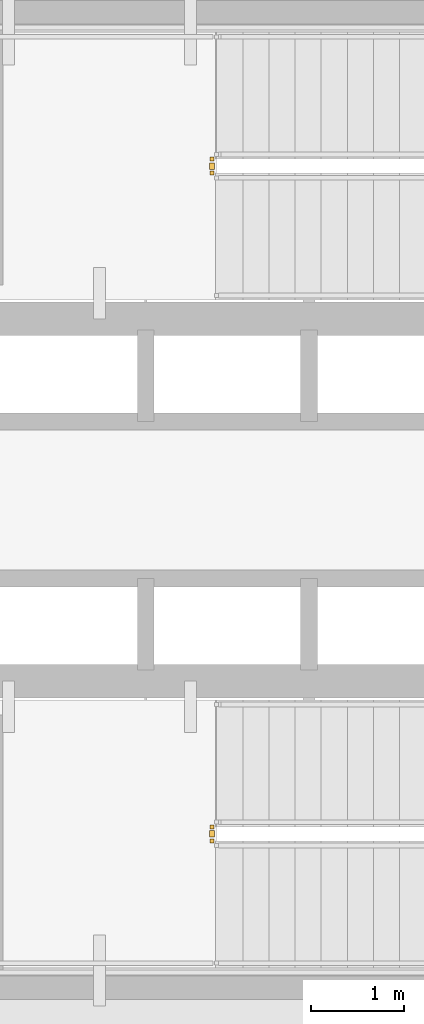
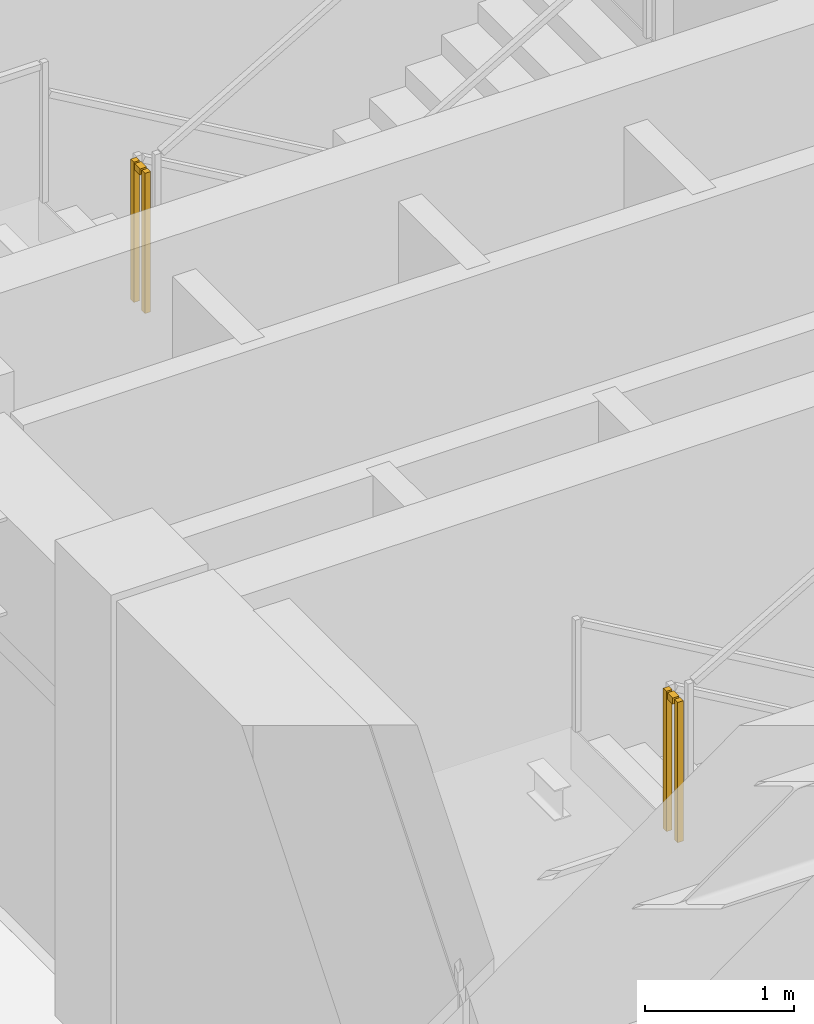
# One storey, part 9 of 16: 2 railings.
"""IFC4 building model written with IfcOpenShell, lengths in metres."""

from ifc_helpers import new_model, si_unit, direction, frame, origin, origin_2d, place, context, subcontext, project, spatial, rectangle, extrude, material, type_object, element, save


model = new_model("IFC4")

# Units and contexts
model_context = context("Model", 3, precision=1e-05, world=origin(), true_north=direction((0.0, 1.0)))
body_context = subcontext(model_context, "Body", "Model", "MODEL_VIEW")
ifc_project = project(units=[si_unit("LENGTHUNIT", "METRE"), si_unit("AREAUNIT", "SQUARE_METRE"), si_unit("VOLUMEUNIT", "CUBIC_METRE"), si_unit("PLANEANGLEUNIT", "RADIAN"), si_unit("MASSUNIT", "GRAM", prefix="KILO")], contexts=[model_context])

# Site, building, storey
site_placement = place(None, origin())
site = spatial("IfcSite", under=ifc_project, at=site_placement, CompositionType="ELEMENT")
building_placement = place(site_placement, origin())
building = spatial("IfcBuilding", under=site, at=building_placement, Name="Yunling Apex Tower", CompositionType="ELEMENT")
storey_placement = place(building_placement, frame((0.0, 0.0, 4.5)))
storey = spatial("IfcBuildingStorey", under=building, at=storey_placement, Name="L02", CompositionType="ELEMENT", Elevation=4.5)

# Railings
ifc_material = material(Name="Steel Q355B", Category="steel")
railing_type = type_object("IfcRailingType", Name="RL-GRD-1150", PredefinedType="GUARDRAIL", material=ifc_material)
for number, where, name in (
    (1, (-3.139892578125, 3.64990234375, 1.949951171875), "L02 ST-1 stair guard 2"),
    (2, (-3.139892578125, -3.5, 1.949951171875), "L02 ST-2 stair guard 2"),
):
    element("IfcRailing", number, at=place(storey_placement, frame(where)), inside=storey, type_object=railing_type, Name=name, PredefinedType="GUARDRAIL", context=body_context, shape_type="SweptSolid", body=[
        extrude(rectangle(XDim=0.0439453125, YDim=0.0439453125, at=origin_2d()), origin(), (0.0, 0.0, 1.0), 1.14990234375),
        extrude(rectangle(XDim=0.0439453125, YDim=0.0439453125, at=origin_2d()), frame((0.0, -0.14990234375, 0.0)), (0.0, 0.0, 1.0), 1.14990234375),
        extrude(rectangle(XDim=0.050048828125, YDim=0.050048828125, at=origin_2d()), frame((0.0, -0.038330078125, 1.125), z_axis=(0.0, -1.0, 0.0), x_axis=(1.0, 0.0, 0.0)), (0.0, 0.0, 1.0), 0.0732421875),
    ])

save(model, "model.ifc")
